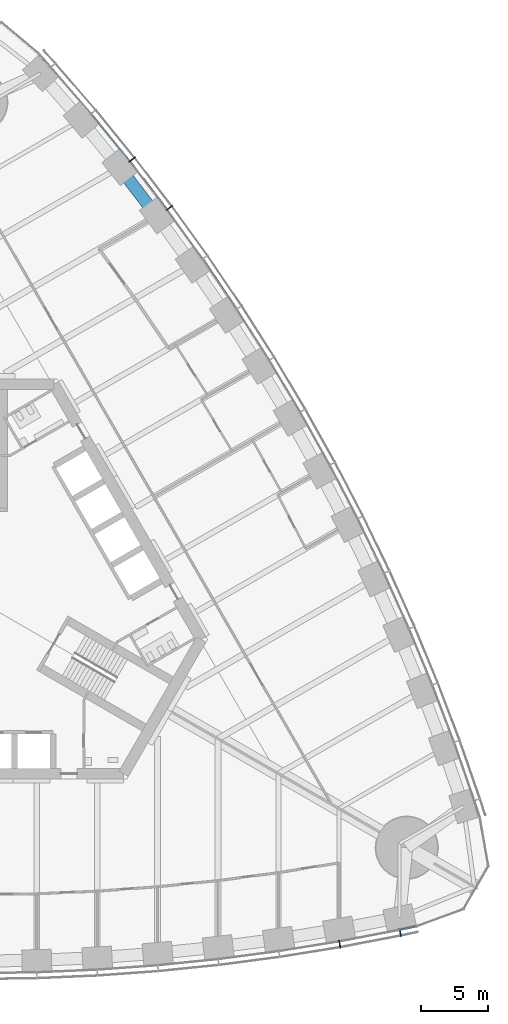
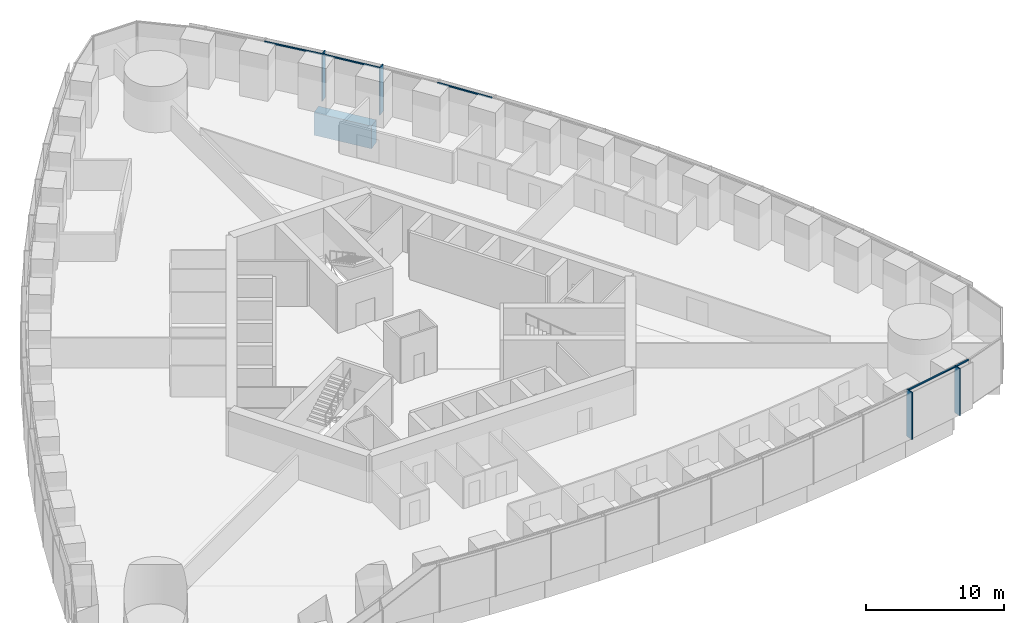
# One storey, part 5 of 18: 9 members, 1 beam, 2 elements without a shape of their own.
"""IFC4 building model written with IfcOpenShell, lengths in metres."""

from ifc_helpers import new_model, si_unit, direction, frame, origin, origin_2d, place, context, subcontext, project, spatial, rectangle, extrude, material, material_profile, profile_set, type_object, element, aggregate, save


model = new_model("IFC4")

# Units and contexts
model_context = context("Model", 3, precision=1e-05, world=origin(), true_north=direction((0.0, 1.0)))
body_context = subcontext(model_context, "Body", "Model", "MODEL_VIEW")
ifc_project = project(units=[si_unit("LENGTHUNIT", "METRE"), si_unit("AREAUNIT", "SQUARE_METRE"), si_unit("VOLUMEUNIT", "CUBIC_METRE"), si_unit("PLANEANGLEUNIT", "RADIAN"), si_unit("MASSUNIT", "GRAM", prefix="KILO")], contexts=[model_context])

# Site, building, storey
site_placement = place(None, origin())
site = spatial("IfcSite", under=ifc_project, at=site_placement, CompositionType="ELEMENT")
building_placement = place(site_placement, origin())
building = spatial("IfcBuilding", under=site, at=building_placement, Name="Trefoil Bronze Tower", CompositionType="ELEMENT")
storey_placement = place(building_placement, frame((0.0, 0.0, 66.89990234375)))
storey = spatial("IfcBuildingStorey", under=building, at=storey_placement, Name="L15", CompositionType="ELEMENT", Elevation=66.89990234375)

# Curtain wall, members
ifc_material_1 = material(Name="Tinted solar-control glass", Category="glass")
curtain_wall_type = type_object("IfcCurtainWallType", Name="Bronze office curtain wall", PredefinedType="USERDEFINED", material=ifc_material_1)
curtain_wall_1_placement = place(storey_placement, origin())
curtain_wall_1 = element("IfcCurtainWall", 1, at=curtain_wall_1_placement, inside=storey, type_object=curtain_wall_type, Name="CW-A L15 F1", ObjectType="CURTAIN WALL", PredefinedType="USERDEFINED")
ifc_material_2 = material(Name="Bronze-finish aluminium", Category="aluminium")
ifc_material_profile_1 = material_profile(ifc_material_2, rectangle(XDim=0.60009765625, YDim=0.080078125, at=origin_2d()), Name="CW-A mullion")
ifc_profile_set_1 = profile_set([ifc_material_profile_1], Name="Bronze-finish aluminium")
member_type_1 = type_object("IfcMemberType", Name="Bronze office curtain wall mullion", PredefinedType="MULLION", material=ifc_profile_set_1)
member_1_placement = place(storey_placement, frame((27.05224609375, -25.67578125, 0.0), z_axis=(0.0, 0.0, 1.0), x_axis=(-0.174131146426, 0.984722470468, 0.0)))
member_1 = element("IfcMember", 2, at=member_1_placement, type_object=member_type_1, Name="CW-A L15 F1 mullion 15", PredefinedType="MULLION", context=body_context, shape_type="SweptSolid", body=[
    extrude(rectangle(XDim=0.60009765625, YDim=0.080078125, at=origin_2d()), origin(), (0.0, 0.0, 1.0), 4.18017578125),
])
member_2_placement = place(storey_placement, frame((31.559326171875, -24.81005859375, 0.0), z_axis=(0.0, 0.0, 1.0), x_axis=(-0.197910006829, 0.98022019424, 0.0)))
member_2 = element("IfcMember", 3, at=member_2_placement, type_object=member_type_1, Name="CW-A L15 F1 mullion 16", PredefinedType="MULLION", context=body_context, shape_type="SweptSolid", body=[
    extrude(rectangle(XDim=0.60009765625, YDim=0.080078125, at=origin_2d()), origin(), (0.0, 0.0, 1.0), 4.18017578125),
])

curtain_wall_2_placement = place(storey_placement, origin())
curtain_wall_2 = element("IfcCurtainWall", 4, at=curtain_wall_2_placement, inside=storey, type_object=curtain_wall_type, Name="CW-A L15 F2", ObjectType="CURTAIN WALL", PredefinedType="USERDEFINED")
member_3_placement = place(storey_placement, frame((14.364013671875, 29.117919921875, 0.0), z_axis=(0.0, 0.0, 1.0), x_axis=(-0.802126748469, -0.59715381552, 0.0)))
member_3 = element("IfcMember", 5, at=member_3_placement, type_object=member_type_1, Name="CW-A L15 F2 mullion 13", PredefinedType="MULLION", context=body_context, shape_type="SweptSolid", body=[
    extrude(rectangle(XDim=0.60009765625, YDim=0.080078125, at=origin_2d()), origin(), (0.0, 0.0, 1.0), 4.18017578125),
])
member_4_placement = place(storey_placement, frame((11.595458984375, 32.7255859375, 0.0), z_axis=(0.0, 0.0, 1.0), x_axis=(-0.784304615744, -0.620375910011, 0.0)))
member_4 = element("IfcMember", 6, at=member_4_placement, type_object=member_type_1, Name="CW-A L15 F2 mullion 14", PredefinedType="MULLION", context=body_context, shape_type="SweptSolid", body=[
    extrude(rectangle(XDim=0.60009765625, YDim=0.080078125, at=origin_2d()), origin(), (0.0, 0.0, 1.0), 4.18017578125),
])

# Member
ifc_material_3 = material(Name="Bronze-finish aluminium", Category="aluminium")
ifc_material_profile_2 = material_profile(ifc_material_3, rectangle(XDim=0.1201171875, YDim=0.10009765625, at=origin_2d()), Name="CW-A transom")
ifc_profile_set_2 = profile_set([ifc_material_profile_2], Name="Bronze-finish aluminium")
member_type_2 = type_object("IfcMemberType", Name="Bronze office curtain wall transom", PredefinedType="USERDEFINED", material=ifc_profile_set_2)
member_5_placement = place(storey_placement, frame((27.05810546875, -25.470947265625, 4.130126953125), z_axis=(0.982053603997, 0.188602011855, 0.0), x_axis=(-0.188602011855, 0.982053603997, 0.0)))
member_5 = element("IfcMember", 7, at=member_5_placement, type_object=member_type_2, Name="CW-A L15 F1 transom 15", ObjectType="TRANSOM", PredefinedType="USERDEFINED", context=body_context, shape_type="SweptSolid", body=[
    extrude(rectangle(XDim=0.1201171875, YDim=0.10009765625, at=origin_2d()), origin(), (0.0, 0.0, 1.0), 4.502197265625),
])

member_6_placement = place(storey_placement, frame((31.559814453125, -24.605712890625, 4.130126953125), z_axis=(0.978266371807, 0.207352129942, 0.0), x_axis=(-0.207352129942, 0.978266371807, 0.0)))
member_6 = element("IfcMember", 8, at=member_6_placement, type_object=member_type_2, Name="CW-A L15 F1 transom 16", ObjectType="TRANSOM", PredefinedType="USERDEFINED", context=body_context, shape_type="SweptSolid", body=[
    extrude(rectangle(XDim=0.1201171875, YDim=0.10009765625, at=origin_2d()), origin(), (0.0, 0.0, 1.0), 1.21044921875),
])

aggregate(curtain_wall_1, [member_1, member_2, member_5, member_6])

member_7_placement = place(storey_placement, frame((19.364990234375, 21.627197265625, 4.130126953125), z_axis=(-0.561508153923, 0.827471203775, 0.0), x_axis=(-0.827471203775, -0.561508153923, 0.0)))
member_7 = element("IfcMember", 9, at=member_7_placement, type_object=member_type_2, Name="CW-A L15 F2 transom 11", ObjectType="TRANSOM", PredefinedType="USERDEFINED", context=body_context, shape_type="SweptSolid", body=[
    extrude(rectangle(XDim=0.1201171875, YDim=0.10009765625, at=origin_2d()), origin(), (0.0, 0.0, 1.0), 4.431884765625),
])

member_8_placement = place(storey_placement, frame((14.178466796875, 29.031494140625, 4.130126953125), z_axis=(-0.608829203216, 0.793301330713, 0.0), x_axis=(-0.793301330713, -0.608829203216, 0.0)))
member_8 = element("IfcMember", 10, at=member_8_placement, type_object=member_type_2, Name="CW-A L15 F2 transom 13", ObjectType="TRANSOM", PredefinedType="USERDEFINED", context=body_context, shape_type="SweptSolid", body=[
    extrude(rectangle(XDim=0.1201171875, YDim=0.10009765625, at=origin_2d()), origin(), (0.0, 0.0, 1.0), 4.458740234375),
])

member_9_placement = place(storey_placement, frame((11.412353515625, 32.6337890625, 4.130126953125), z_axis=(-0.631835540201, 0.775102477185, 0.0), x_axis=(-0.775102477185, -0.631835540201, 0.0)))
member_9 = element("IfcMember", 11, at=member_9_placement, type_object=member_type_2, Name="CW-A L15 F2 transom 14", ObjectType="TRANSOM", PredefinedType="USERDEFINED", context=body_context, shape_type="SweptSolid", body=[
    extrude(rectangle(XDim=0.1201171875, YDim=0.10009765625, at=origin_2d()), origin(), (0.0, 0.0, 1.0), 4.478271484375),
])

aggregate(curtain_wall_2, [member_3, member_4, member_7, member_8, member_9])

# Beam
ifc_material_4 = material(Name="Concrete B80", Category="concrete")
ifc_material_profile_3 = material_profile(ifc_material_4, rectangle(XDim=0.89990234375, YDim=2.0, at=origin_2d()), Name="RC 900x2000")
ifc_profile_set_3 = profile_set([ifc_material_profile_3], Name="Concrete B80")
beam_type = type_object("IfcBeamType", Name="Spandrel beam RC 900x2000", PredefinedType="SPANDREL", material=ifc_profile_set_3)
beam_placement = place(storey_placement, frame((13.42578125, 28.5361328125, -1.199951171875), z_axis=(-0.609338992146, 0.792909826305, 0.0), x_axis=(-0.792909826305, -0.609338992146, 0.0)))
element("IfcBeam", 12, at=beam_placement, inside=storey, type_object=beam_type, Name="Spandrel F2.13 L15", PredefinedType="SPANDREL", context=body_context, shape_type="SweptSolid", body=[
    extrude(rectangle(XDim=0.89990234375, YDim=2.0, at=origin_2d()), origin(), (0.0, 0.0, 1.0), 4.5390625),
])

save(model, "model.ifc")
